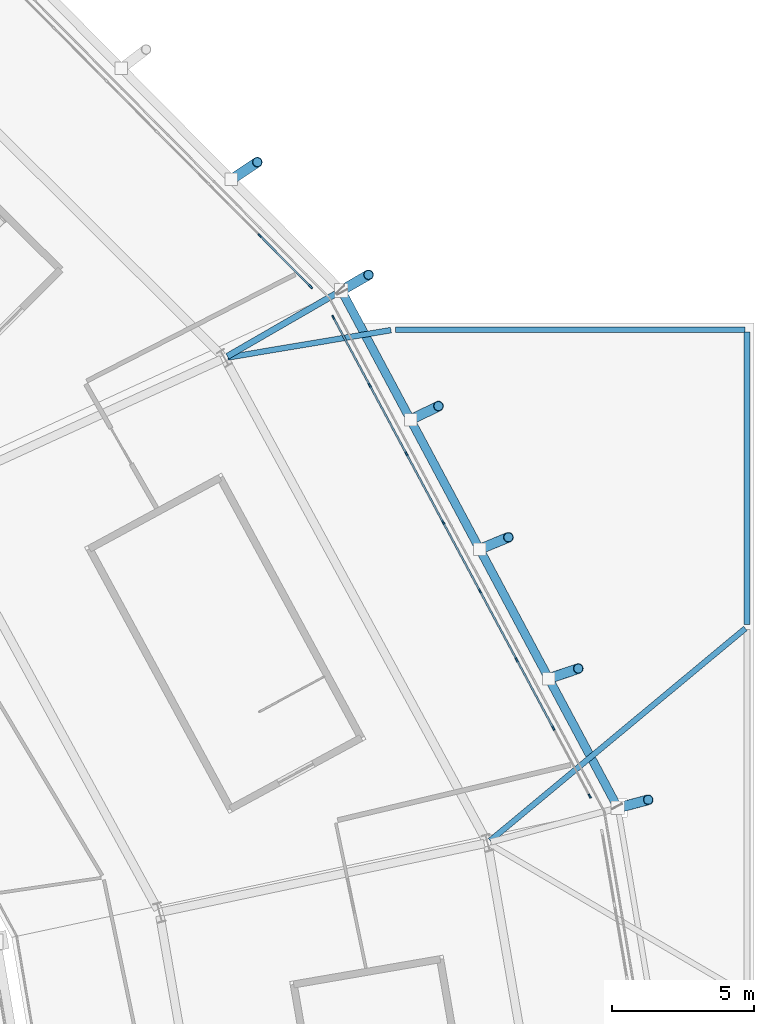
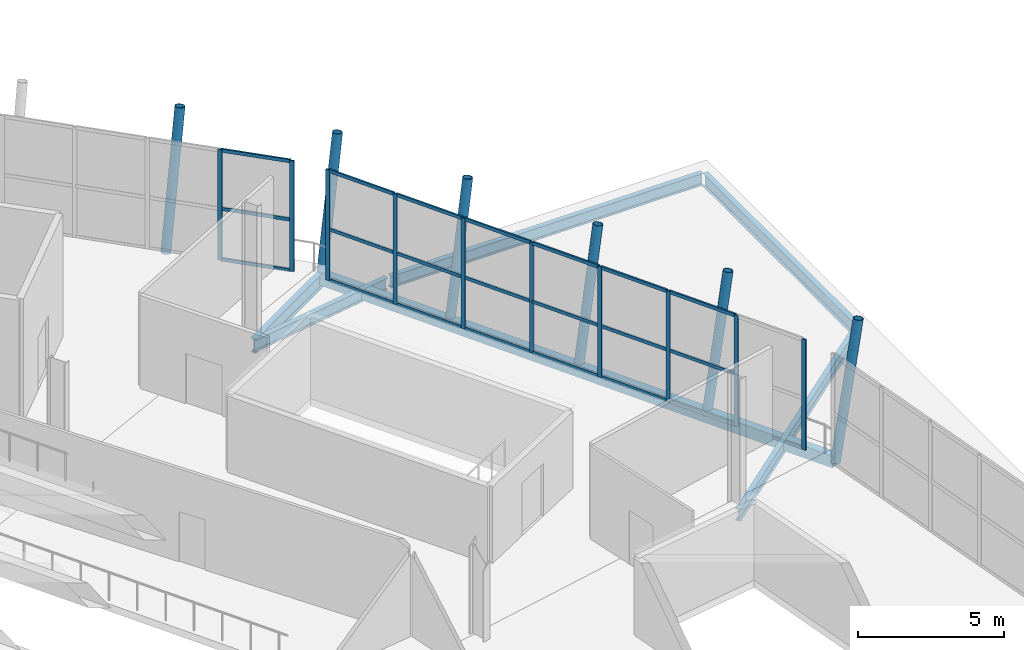
# One storey, part 48 of 126: 37 members, 6 beams, 2 elements without a shape of their own.
"""IFC4 building model written with IfcOpenShell, lengths in metres."""

from ifc_helpers import new_model, si_unit, direction, frame, origin, origin_2d, place, context, subcontext, project, spatial, rectangle, hollow_rectangle, hollow_circle, i_section, extrude, material, material_profile, profile_set, type_object, element, aggregate, save


model = new_model("IFC4")

# Units and contexts
model_context = context("Model", 3, precision=1e-05, world=origin(), true_north=direction((0.0, 1.0)))
body_context = subcontext(model_context, "Body", "Model", "MODEL_VIEW")
ifc_project = project(units=[si_unit("LENGTHUNIT", "METRE"), si_unit("AREAUNIT", "SQUARE_METRE"), si_unit("VOLUMEUNIT", "CUBIC_METRE"), si_unit("PLANEANGLEUNIT", "RADIAN"), si_unit("MASSUNIT", "GRAM", prefix="KILO")], contexts=[model_context])

# Site, building, storey
site_placement = place(None, origin())
site = spatial("IfcSite", under=ifc_project, at=site_placement, CompositionType="ELEMENT")
building_placement = place(site_placement, origin())
building = spatial("IfcBuilding", under=site, at=building_placement, Name="Zlatoyarsky Gate Stadium", CompositionType="ELEMENT")
storey_placement = place(building_placement, frame((0.0, 0.0, 20.800048828125)))
storey = spatial("IfcBuildingStorey", under=building, at=storey_placement, Name="L04", CompositionType="ELEMENT", Elevation=20.800048828125)

# Curtain wall, members
ifc_material_1 = material(Name="Thermally broken anodised aluminium curtain wall", Category="aluminium")
curtain_wall_type = type_object("IfcCurtainWallType", Name="UNITISED MEDIA RING GLAZING L04", PredefinedType="USERDEFINED", material=ifc_material_1)
curtain_wall_1_placement = place(storey_placement, origin())
curtain_wall_1 = element("IfcCurtainWall", 1, at=curtain_wall_1_placement, inside=storey, type_object=curtain_wall_type, Name="Curtain wall CW-L04-01", ObjectType="UNITISED GLAZING", PredefinedType="USERDEFINED")
ifc_material_2 = material(Name="Anodised aluminium 6063-T6", Category="aluminium")
ifc_material_profile_1 = material_profile(ifc_material_2, rectangle(XDim=0.06494140625, YDim=0.159912109375, at=origin_2d()), Name="ALU 65X160")
ifc_profile_set_1 = profile_set([ifc_material_profile_1], Name="Anodised aluminium 6063-T6")
member_type_1 = type_object("IfcMemberType", Name="ALUMINIUM MULLION 65X160", PredefinedType="MULLION", material=ifc_profile_set_1)
member_1_placement = place(storey_placement, frame((204.439697265625, 100.031005859375, 0.0), z_axis=(0.0, 0.0, 1.0), x_axis=(-0.881520920878, -0.472144962966, 0.0)))
member_1 = element("IfcMember", 2, at=member_1_placement, type_object=member_type_1, Name="CW-UG4 mullion 1", PredefinedType="MULLION", context=body_context, shape_type="SweptSolid", body=[
    extrude(rectangle(XDim=0.06494140625, YDim=0.159912109375, at=origin_2d()), origin(), (0.0, 0.0, 1.0), 4.619873046875),
])
member_2_placement = place(storey_placement, frame((203.157470703125, 102.42529296875, 0.0), z_axis=(0.0, 0.0, 1.0), x_axis=(-0.881520920878, -0.472144962966, 0.0)))
member_2 = element("IfcMember", 3, at=member_2_placement, type_object=member_type_1, Name="CW-UG4 mullion 2", PredefinedType="MULLION", context=body_context, shape_type="SweptSolid", body=[
    extrude(rectangle(XDim=0.06494140625, YDim=0.159912109375, at=origin_2d()), origin(), (0.0, 0.0, 1.0), 4.619873046875),
])
member_3_placement = place(storey_placement, frame((201.85986328125, 104.847900390625, 0.0), z_axis=(0.0, 0.0, 1.0), x_axis=(-0.881520920878, -0.472144962966, 0.0)))
member_3 = element("IfcMember", 4, at=member_3_placement, type_object=member_type_1, Name="CW-UG4 mullion 3", PredefinedType="MULLION", context=body_context, shape_type="SweptSolid", body=[
    extrude(rectangle(XDim=0.06494140625, YDim=0.159912109375, at=origin_2d()), origin(), (0.0, 0.0, 1.0), 4.619873046875),
])
member_4_placement = place(storey_placement, frame((200.562255859375, 107.270751953125, 0.0), z_axis=(0.0, 0.0, 1.0), x_axis=(-0.881520920878, -0.472144962966, 0.0)))
member_4 = element("IfcMember", 5, at=member_4_placement, type_object=member_type_1, Name="CW-UG4 mullion 4", PredefinedType="MULLION", context=body_context, shape_type="SweptSolid", body=[
    extrude(rectangle(XDim=0.06494140625, YDim=0.159912109375, at=origin_2d()), origin(), (0.0, 0.0, 1.0), 4.619873046875),
])
member_5_placement = place(storey_placement, frame((199.2646484375, 109.693603515625, 0.0), z_axis=(0.0, 0.0, 1.0), x_axis=(-0.881520920878, -0.472144962966, 0.0)))
member_5 = element("IfcMember", 6, at=member_5_placement, type_object=member_type_1, Name="CW-UG4 mullion 5", PredefinedType="MULLION", context=body_context, shape_type="SweptSolid", body=[
    extrude(rectangle(XDim=0.06494140625, YDim=0.159912109375, at=origin_2d()), origin(), (0.0, 0.0, 1.0), 4.619873046875),
])
member_6_placement = place(storey_placement, frame((197.966796875, 112.1162109375, 0.0), z_axis=(0.0, 0.0, 1.0), x_axis=(-0.881520920878, -0.472144962966, 0.0)))
member_6 = element("IfcMember", 7, at=member_6_placement, type_object=member_type_1, Name="CW-UG4 mullion 6", PredefinedType="MULLION", context=body_context, shape_type="SweptSolid", body=[
    extrude(rectangle(XDim=0.06494140625, YDim=0.159912109375, at=origin_2d()), origin(), (0.0, 0.0, 1.0), 4.619873046875),
])
member_7_placement = place(storey_placement, frame((196.669189453125, 114.5390625, 0.0), z_axis=(0.0, 0.0, 1.0), x_axis=(-0.881520920878, -0.472144962966, 0.0)))
member_7 = element("IfcMember", 8, at=member_7_placement, type_object=member_type_1, Name="CW-UG4 mullion 7", PredefinedType="MULLION", context=body_context, shape_type="SweptSolid", body=[
    extrude(rectangle(XDim=0.06494140625, YDim=0.159912109375, at=origin_2d()), origin(), (0.0, 0.0, 1.0), 4.619873046875),
])
member_8_placement = place(storey_placement, frame((195.386962890625, 116.93310546875, 0.0), z_axis=(0.0, 0.0, 1.0), x_axis=(-0.881520920878, -0.472144962966, 0.0)))
member_8 = element("IfcMember", 9, at=member_8_placement, type_object=member_type_1, Name="CW-UG4 mullion 8", PredefinedType="MULLION", context=body_context, shape_type="SweptSolid", body=[
    extrude(rectangle(XDim=0.06494140625, YDim=0.159912109375, at=origin_2d()), origin(), (0.0, 0.0, 1.0), 4.619873046875),
])

curtain_wall_2_placement = place(storey_placement, origin())
curtain_wall_2 = element("IfcCurtainWall", 10, at=curtain_wall_2_placement, inside=storey, type_object=curtain_wall_type, Name="Curtain wall CW-L04-02", ObjectType="UNITISED GLAZING", PredefinedType="USERDEFINED")
member_9_placement = place(storey_placement, frame((194.583984375, 118.019287109375, 0.0), z_axis=(0.0, 0.0, 1.0), x_axis=(-0.709870536386, -0.704332181269, 0.0)))
member_9 = element("IfcMember", 11, at=member_9_placement, type_object=member_type_1, Name="CW-UG4 mullion 1", PredefinedType="MULLION", context=body_context, shape_type="SweptSolid", body=[
    extrude(rectangle(XDim=0.06494140625, YDim=0.159912109375, at=origin_2d()), origin(), (0.0, 0.0, 1.0), 4.619873046875),
])
member_10_placement = place(storey_placement, frame((192.79296875, 119.82421875, 0.0), z_axis=(0.0, 0.0, 1.0), x_axis=(-0.709870536386, -0.704332181269, 0.0)))
member_10 = element("IfcMember", 12, at=member_10_placement, type_object=member_type_1, Name="CW-UG4 mullion 2", PredefinedType="MULLION", context=body_context, shape_type="SweptSolid", body=[
    extrude(rectangle(XDim=0.06494140625, YDim=0.159912109375, at=origin_2d()), origin(), (0.0, 0.0, 1.0), 4.619873046875),
])

# Member
ifc_material_profile_2 = material_profile(ifc_material_2, rectangle(XDim=0.06494140625, YDim=0.139892578125, at=origin_2d()), Name="ALU 65X140")
ifc_profile_set_2 = profile_set([ifc_material_profile_2], Name="Anodised aluminium 6063-T6")
member_type_2 = type_object("IfcMemberType", Name="ALUMINIUM TRANSOM 65X140", PredefinedType="USERDEFINED", material=ifc_profile_set_2)
member_11_placement = place(storey_placement, frame((203.14208984375, 102.453857421875, 0.032470703125), z_axis=(-0.472112842027, 0.881538124186, 0.0), x_axis=(-0.881538124186, -0.472112842027, 0.0)))
member_11 = element("IfcMember", 13, at=member_11_placement, type_object=member_type_2, Name="CW-UG4 transom 2.1", ObjectType="TRANSOM", PredefinedType="USERDEFINED", context=body_context, shape_type="SweptSolid", body=[
    extrude(rectangle(XDim=0.06494140625, YDim=0.139892578125, at=origin_2d()), origin(), (0.0, 0.0, 1.0), 2.683349609375),
])

member_12_placement = place(storey_placement, frame((203.14208984375, 102.453857421875, 2.14990234375), z_axis=(-0.472112842027, 0.881538124186, 0.0), x_axis=(-0.881538124186, -0.472112842027, 0.0)))
member_12 = element("IfcMember", 14, at=member_12_placement, type_object=member_type_2, Name="CW-UG4 transom 2.2", ObjectType="TRANSOM", PredefinedType="USERDEFINED", context=body_context, shape_type="SweptSolid", body=[
    extrude(rectangle(XDim=0.06494140625, YDim=0.139892578125, at=origin_2d()), origin(), (0.0, 0.0, 1.0), 2.683349609375),
])

member_13_placement = place(storey_placement, frame((203.14208984375, 102.453857421875, 4.58740234375), z_axis=(-0.472112842027, 0.881538124186, 0.0), x_axis=(-0.881538124186, -0.472112842027, 0.0)))
member_13 = element("IfcMember", 15, at=member_13_placement, type_object=member_type_2, Name="CW-UG4 transom 2.3", ObjectType="TRANSOM", PredefinedType="USERDEFINED", context=body_context, shape_type="SweptSolid", body=[
    extrude(rectangle(XDim=0.06494140625, YDim=0.139892578125, at=origin_2d()), origin(), (0.0, 0.0, 1.0), 2.683349609375),
])

member_14_placement = place(storey_placement, frame((201.844482421875, 104.876708984375, 0.032470703125), z_axis=(-0.472150710596, 0.881517842408, 0.0), x_axis=(-0.881517842408, -0.472150710596, 0.0)))
member_14 = element("IfcMember", 16, at=member_14_placement, type_object=member_type_2, Name="CW-UG4 transom 3.1", ObjectType="TRANSOM", PredefinedType="USERDEFINED", context=body_context, shape_type="SweptSolid", body=[
    extrude(rectangle(XDim=0.06494140625, YDim=0.139892578125, at=origin_2d()), origin(), (0.0, 0.0, 1.0), 2.68310546875),
])

member_15_placement = place(storey_placement, frame((201.844482421875, 104.876708984375, 2.14990234375), z_axis=(-0.472150710596, 0.881517842408, 0.0), x_axis=(-0.881517842408, -0.472150710596, 0.0)))
member_15 = element("IfcMember", 17, at=member_15_placement, type_object=member_type_2, Name="CW-UG4 transom 3.2", ObjectType="TRANSOM", PredefinedType="USERDEFINED", context=body_context, shape_type="SweptSolid", body=[
    extrude(rectangle(XDim=0.06494140625, YDim=0.139892578125, at=origin_2d()), origin(), (0.0, 0.0, 1.0), 2.68310546875),
])

member_16_placement = place(storey_placement, frame((201.844482421875, 104.876708984375, 4.58740234375), z_axis=(-0.472150710596, 0.881517842408, 0.0), x_axis=(-0.881517842408, -0.472150710596, 0.0)))
member_16 = element("IfcMember", 18, at=member_16_placement, type_object=member_type_2, Name="CW-UG4 transom 3.3", ObjectType="TRANSOM", PredefinedType="USERDEFINED", context=body_context, shape_type="SweptSolid", body=[
    extrude(rectangle(XDim=0.06494140625, YDim=0.139892578125, at=origin_2d()), origin(), (0.0, 0.0, 1.0), 2.68310546875),
])

member_17_placement = place(storey_placement, frame((200.546875, 107.29931640625, 0.032470703125), z_axis=(-0.47218354153, 0.88150025701, 0.0), x_axis=(-0.88150025701, -0.47218354153, 0.0)))
member_17 = element("IfcMember", 19, at=member_17_placement, type_object=member_type_2, Name="CW-UG4 transom 4.1", ObjectType="TRANSOM", PredefinedType="USERDEFINED", context=body_context, shape_type="SweptSolid", body=[
    extrude(rectangle(XDim=0.06494140625, YDim=0.139892578125, at=origin_2d()), origin(), (0.0, 0.0, 1.0), 2.683349609375),
])

member_18_placement = place(storey_placement, frame((200.546875, 107.29931640625, 2.14990234375), z_axis=(-0.47218354153, 0.88150025701, 0.0), x_axis=(-0.88150025701, -0.47218354153, 0.0)))
member_18 = element("IfcMember", 20, at=member_18_placement, type_object=member_type_2, Name="CW-UG4 transom 4.2", ObjectType="TRANSOM", PredefinedType="USERDEFINED", context=body_context, shape_type="SweptSolid", body=[
    extrude(rectangle(XDim=0.06494140625, YDim=0.139892578125, at=origin_2d()), origin(), (0.0, 0.0, 1.0), 2.683349609375),
])

member_19_placement = place(storey_placement, frame((200.546875, 107.29931640625, 4.58740234375), z_axis=(-0.47218354153, 0.88150025701, 0.0), x_axis=(-0.88150025701, -0.47218354153, 0.0)))
member_19 = element("IfcMember", 21, at=member_19_placement, type_object=member_type_2, Name="CW-UG4 transom 4.3", ObjectType="TRANSOM", PredefinedType="USERDEFINED", context=body_context, shape_type="SweptSolid", body=[
    extrude(rectangle(XDim=0.06494140625, YDim=0.139892578125, at=origin_2d()), origin(), (0.0, 0.0, 1.0), 2.683349609375),
])

member_20_placement = place(storey_placement, frame((199.249267578125, 109.72216796875, 0.032470703125), z_axis=(-0.47218354153, 0.88150025701, 0.0), x_axis=(-0.88150025701, -0.47218354153, 0.0)))
member_20 = element("IfcMember", 22, at=member_20_placement, type_object=member_type_2, Name="CW-UG4 transom 5.1", ObjectType="TRANSOM", PredefinedType="USERDEFINED", context=body_context, shape_type="SweptSolid", body=[
    extrude(rectangle(XDim=0.06494140625, YDim=0.139892578125, at=origin_2d()), origin(), (0.0, 0.0, 1.0), 2.683349609375),
])

member_21_placement = place(storey_placement, frame((199.249267578125, 109.72216796875, 2.14990234375), z_axis=(-0.47218354153, 0.88150025701, 0.0), x_axis=(-0.88150025701, -0.47218354153, 0.0)))
member_21 = element("IfcMember", 23, at=member_21_placement, type_object=member_type_2, Name="CW-UG4 transom 5.2", ObjectType="TRANSOM", PredefinedType="USERDEFINED", context=body_context, shape_type="SweptSolid", body=[
    extrude(rectangle(XDim=0.06494140625, YDim=0.139892578125, at=origin_2d()), origin(), (0.0, 0.0, 1.0), 2.683349609375),
])

member_22_placement = place(storey_placement, frame((199.249267578125, 109.72216796875, 4.58740234375), z_axis=(-0.47218354153, 0.88150025701, 0.0), x_axis=(-0.88150025701, -0.47218354153, 0.0)))
member_22 = element("IfcMember", 24, at=member_22_placement, type_object=member_type_2, Name="CW-UG4 transom 5.3", ObjectType="TRANSOM", PredefinedType="USERDEFINED", context=body_context, shape_type="SweptSolid", body=[
    extrude(rectangle(XDim=0.06494140625, YDim=0.139892578125, at=origin_2d()), origin(), (0.0, 0.0, 1.0), 2.683349609375),
])

member_23_placement = place(storey_placement, frame((197.95166015625, 112.14501953125, 0.032470703125), z_axis=(-0.47218354153, 0.88150025701, 0.0), x_axis=(-0.88150025701, -0.47218354153, 0.0)))
member_23 = element("IfcMember", 25, at=member_23_placement, type_object=member_type_2, Name="CW-UG4 transom 6.1", ObjectType="TRANSOM", PredefinedType="USERDEFINED", context=body_context, shape_type="SweptSolid", body=[
    extrude(rectangle(XDim=0.06494140625, YDim=0.139892578125, at=origin_2d()), origin(), (0.0, 0.0, 1.0), 2.683349609375),
])

member_24_placement = place(storey_placement, frame((197.95166015625, 112.14501953125, 2.14990234375), z_axis=(-0.47218354153, 0.88150025701, 0.0), x_axis=(-0.88150025701, -0.47218354153, 0.0)))
member_24 = element("IfcMember", 26, at=member_24_placement, type_object=member_type_2, Name="CW-UG4 transom 6.2", ObjectType="TRANSOM", PredefinedType="USERDEFINED", context=body_context, shape_type="SweptSolid", body=[
    extrude(rectangle(XDim=0.06494140625, YDim=0.139892578125, at=origin_2d()), origin(), (0.0, 0.0, 1.0), 2.683349609375),
])

member_25_placement = place(storey_placement, frame((197.95166015625, 112.14501953125, 4.58740234375), z_axis=(-0.47218354153, 0.88150025701, 0.0), x_axis=(-0.88150025701, -0.47218354153, 0.0)))
member_25 = element("IfcMember", 27, at=member_25_placement, type_object=member_type_2, Name="CW-UG4 transom 6.3", ObjectType="TRANSOM", PredefinedType="USERDEFINED", context=body_context, shape_type="SweptSolid", body=[
    extrude(rectangle(XDim=0.06494140625, YDim=0.139892578125, at=origin_2d()), origin(), (0.0, 0.0, 1.0), 2.683349609375),
])

member_26_placement = place(storey_placement, frame((196.65380859375, 114.567626953125, 0.032470703125), z_axis=(-0.472088510191, 0.881551154809, 0.0), x_axis=(-0.881551154809, -0.472088510191, 0.0)))
member_26 = element("IfcMember", 28, at=member_26_placement, type_object=member_type_2, Name="CW-UG4 transom 7.1", ObjectType="TRANSOM", PredefinedType="USERDEFINED", context=body_context, shape_type="SweptSolid", body=[
    extrude(rectangle(XDim=0.06494140625, YDim=0.139892578125, at=origin_2d()), origin(), (0.0, 0.0, 1.0), 2.65087890625),
])

member_27_placement = place(storey_placement, frame((196.65380859375, 114.567626953125, 2.14990234375), z_axis=(-0.472088510191, 0.881551154809, 0.0), x_axis=(-0.881551154809, -0.472088510191, 0.0)))
member_27 = element("IfcMember", 29, at=member_27_placement, type_object=member_type_2, Name="CW-UG4 transom 7.2", ObjectType="TRANSOM", PredefinedType="USERDEFINED", context=body_context, shape_type="SweptSolid", body=[
    extrude(rectangle(XDim=0.06494140625, YDim=0.139892578125, at=origin_2d()), origin(), (0.0, 0.0, 1.0), 2.65087890625),
])

member_28_placement = place(storey_placement, frame((196.65380859375, 114.567626953125, 4.58740234375), z_axis=(-0.472088510191, 0.881551154809, 0.0), x_axis=(-0.881551154809, -0.472088510191, 0.0)))
member_28 = element("IfcMember", 30, at=member_28_placement, type_object=member_type_2, Name="CW-UG4 transom 7.3", ObjectType="TRANSOM", PredefinedType="USERDEFINED", context=body_context, shape_type="SweptSolid", body=[
    extrude(rectangle(XDim=0.06494140625, YDim=0.139892578125, at=origin_2d()), origin(), (0.0, 0.0, 1.0), 2.65087890625),
])

aggregate(curtain_wall_1, [member_1, member_2, member_3, member_4, member_5, member_6, member_7, member_8, member_11, member_12, member_13, member_14, member_15, member_16, member_17, member_18, member_19, member_20, member_21, member_22, member_23, member_24, member_25, member_26, member_27, member_28])

member_29_placement = place(storey_placement, frame((194.56103515625, 118.042236328125, 0.032470703125), z_axis=(-0.704293097674, 0.709909312919, 0.0), x_axis=(-0.709909312919, -0.704293097674, 0.0)))
member_29 = element("IfcMember", 31, at=member_29_placement, type_object=member_type_2, Name="CW-UG4 transom 1.1", ObjectType="TRANSOM", PredefinedType="USERDEFINED", context=body_context, shape_type="SweptSolid", body=[
    extrude(rectangle(XDim=0.06494140625, YDim=0.139892578125, at=origin_2d()), origin(), (0.0, 0.0, 1.0), 2.477783203125),
])

member_30_placement = place(storey_placement, frame((194.56103515625, 118.042236328125, 2.14990234375), z_axis=(-0.704293097674, 0.709909312919, 0.0), x_axis=(-0.709909312919, -0.704293097674, 0.0)))
member_30 = element("IfcMember", 32, at=member_30_placement, type_object=member_type_2, Name="CW-UG4 transom 1.2", ObjectType="TRANSOM", PredefinedType="USERDEFINED", context=body_context, shape_type="SweptSolid", body=[
    extrude(rectangle(XDim=0.06494140625, YDim=0.139892578125, at=origin_2d()), origin(), (0.0, 0.0, 1.0), 2.477783203125),
])

member_31_placement = place(storey_placement, frame((194.56103515625, 118.042236328125, 4.58740234375), z_axis=(-0.704293097674, 0.709909312919, 0.0), x_axis=(-0.709909312919, -0.704293097674, 0.0)))
member_31 = element("IfcMember", 33, at=member_31_placement, type_object=member_type_2, Name="CW-UG4 transom 1.3", ObjectType="TRANSOM", PredefinedType="USERDEFINED", context=body_context, shape_type="SweptSolid", body=[
    extrude(rectangle(XDim=0.06494140625, YDim=0.139892578125, at=origin_2d()), origin(), (0.0, 0.0, 1.0), 2.477783203125),
])

aggregate(curtain_wall_2, [member_9, member_10, member_29, member_30, member_31])

# Beams
ifc_material_3 = material(Name="Steel S355", Category="steel")
ifc_material_profile_3 = material_profile(ifc_material_3, i_section(OverallWidth=0.219970703125, OverallDepth=0.60009765625, WebThickness=0.011962890625, FlangeThickness=0.01904296875, FilletRadius=0.02392578125, at=origin_2d()), Name="IPE 600")
ifc_profile_set_3 = profile_set([ifc_material_profile_3], Name="Steel S355")
beam_type_1 = type_object("IfcBeamType", Name="STEEL CANTILEVER FLOOR BEAM IPE 600", PredefinedType="BEAM", material=ifc_profile_set_3)
beam_1_placement = place(storey_placement, frame((191.644287109375, 115.56005859375, -0.60009765625), z_axis=(0.866030814921, 0.499990627519, 0.0), x_axis=(-0.499990627519, 0.866030814921, 0.0)))
element("IfcBeam", 34, at=beam_1_placement, inside=storey, type_object=beam_type_1, Name="Beam B-IPE600 BM-L04-OUT-02", PredefinedType="BEAM", context=body_context, shape_type="SweptSolid", body=[
    extrude(i_section(OverallWidth=0.219970703125, OverallDepth=0.60009765625, WebThickness=0.011962890625, FlangeThickness=0.01904296875, FilletRadius=0.02392578125, at=origin_2d()), origin(), (0.0, 0.0, 1.0), 4.6494140625),
])
ifc_material_profile_4 = material_profile(ifc_material_3, i_section(OverallWidth=0.199951171875, OverallDepth=0.5, WebThickness=0.01025390625, FlangeThickness=0.01611328125, FilletRadius=0.02099609375, at=origin_2d()), Name="IPE 500")
ifc_profile_set_4 = profile_set([ifc_material_profile_4], Name="Steel S355")
beam_type_2 = type_object("IfcBeamType", Name="STEEL FLOOR BEAM IPE 500", PredefinedType="BEAM", material=ifc_profile_set_4)
beam_2_placement = place(storey_placement, frame((197.580078125, 116.5, -0.550048828125), z_axis=(1.0, 0.0, 0.0), x_axis=(0.0, 1.0, 0.0)))
element("IfcBeam", 35, at=beam_2_placement, inside=storey, type_object=beam_type_2, Name="Beam B-IPE500 BM-L04-WGX-17-L", PredefinedType="BEAM", context=body_context, shape_type="SweptSolid", body=[
    extrude(i_section(OverallWidth=0.199951171875, OverallDepth=0.5, WebThickness=0.01025390625, FlangeThickness=0.01611328125, FilletRadius=0.02099609375, at=origin_2d()), origin(), (0.0, 0.0, 1.0), 12.33984375),
])
beam_3_placement = place(storey_placement, frame((209.9384765625, 105.948974609375, -0.550048828125), z_axis=(-0.768913795001, -0.63935246606, 0.0), x_axis=(0.63935246606, -0.768913795001, 0.0)))
element("IfcBeam", 36, at=beam_3_placement, inside=storey, type_object=beam_type_2, Name="Beam B-IPE500 BM-L04-WRF-E6", PredefinedType="BEAM", context=body_context, shape_type="SweptSolid", body=[
    extrude(i_section(OverallWidth=0.199951171875, OverallDepth=0.5, WebThickness=0.01025390625, FlangeThickness=0.01611328125, FilletRadius=0.02099609375, at=origin_2d()), origin(), (0.0, 0.0, 1.0), 11.724609375),
])
beam_4_placement = place(storey_placement, frame((197.421142578125, 116.48681640625, -0.550048828125), z_axis=(-0.986216052635, -0.165462677136, 0.0), x_axis=(0.165462677136, -0.986216052635, 0.0)))
element("IfcBeam", 37, at=beam_4_placement, inside=storey, type_object=beam_type_2, Name="Beam B-IPE500 BM-L04-WRF-E7", PredefinedType="BEAM", context=body_context, shape_type="SweptSolid", body=[
    extrude(i_section(OverallWidth=0.199951171875, OverallDepth=0.5, WebThickness=0.01025390625, FlangeThickness=0.01611328125, FilletRadius=0.02099609375, at=origin_2d()), origin(), (0.0, 0.0, 1.0), 5.843017578125),
])
ifc_material_profile_5 = material_profile(ifc_material_3, i_section(OverallWidth=0.2099609375, OverallDepth=0.550048828125, WebThickness=0.010986328125, FlangeThickness=0.01708984375, FilletRadius=0.02392578125, at=origin_2d()), Name="IPE 550")
ifc_profile_set_5 = profile_set([ifc_material_profile_5], Name="Steel S355")
beam_type_3 = type_object("IfcBeamType", Name="STEEL FLOOR BEAM IPE 550", PredefinedType="BEAM", material=ifc_profile_set_5)
beam_5_placement = place(storey_placement, frame((210.0, 106.080078125, -0.574951171875), z_axis=(0.0, 1.0, 0.0), x_axis=(-1.0, 0.0, 0.0)))
element("IfcBeam", 38, at=beam_5_placement, inside=storey, type_object=beam_type_3, Name="Beam B-IPE550 BM-L04-WGY-18-K", PredefinedType="BEAM", context=body_context, shape_type="SweptSolid", body=[
    extrude(i_section(OverallWidth=0.2099609375, OverallDepth=0.550048828125, WebThickness=0.010986328125, FlangeThickness=0.01708984375, FilletRadius=0.02392578125, at=origin_2d()), origin(), (0.0, 0.0, 1.0), 10.33984375),
])

# Members
ifc_material_profile_6 = material_profile(ifc_material_3, hollow_circle(Radius=0.177734375, WallThickness=0.02001953125, at=origin_2d()), Name="CHS 355.6X20")
ifc_profile_set_6 = profile_set([ifc_material_profile_6], Name="Steel S355")
member_type_3 = type_object("IfcMemberType", Name="STEEL LEANING RIB RING STRUT CHS 355.6X20", PredefinedType="STRUT", material=ifc_profile_set_6)
for number, where, z_axis, x_axis, name in (
    (39, (205.438232421875, 99.610595703125, -0.60009765625), (0.192834107222, 0.051671625082, 0.979869914965), (-0.25882783967, 0.965923469749, 0.0), "Leaning ring strut 01 L04 to L05"),
    (40, (195.6708984375, 117.884765625, -0.60009765625), (0.172912265189, 0.09982473092, 0.979865486505), (-0.49997666526, 0.866038875684, 0.0), "Leaning ring strut 02 L04 to L05"),
):
    element("IfcMember", number, at=place(storey_placement, frame(where, z_axis=z_axis, x_axis=x_axis)), inside=storey, type_object=member_type_3, Name=name, PredefinedType="STRUT", context=body_context, shape_type="SweptSolid", body=[
        extrude(hollow_circle(Radius=0.177734375, WallThickness=0.02001953125, at=origin_2d()), origin(), (0.0, 0.0, 1.0), 5.5517578125),
    ])
member_32_placement = place(storey_placement, frame((202.996337890625, 104.17919921875, -0.550048828125), z_axis=(0.187911950182, 0.06373698872, 0.980115654016), x_axis=(-0.321211146144, 0.947007602711, 0.0)))
element("IfcMember", 41, at=member_32_placement, inside=storey, type_object=member_type_3, Name="Outward-leaning bowl louvre fin rib L04 01-1", PredefinedType="STRUT", context=body_context, shape_type="SweptSolid", body=[
    extrude(hollow_circle(Radius=0.177734375, WallThickness=0.02001953125, at=origin_2d()), origin(), (0.0, 0.0, 1.0), 5.55029296875),
])
member_33_placement = place(storey_placement, frame((200.5546875, 108.747802734375, -0.550048828125), z_axis=(0.182914317076, 0.075752393941, 0.980206063754), x_axis=(-0.382626535499, 0.923903097912, 0.0)))
element("IfcMember", 42, at=member_33_placement, inside=storey, type_object=member_type_3, Name="Outward-leaning bowl louvre fin rib L04 01-2", PredefinedType="STRUT", context=body_context, shape_type="SweptSolid", body=[
    extrude(hollow_circle(Radius=0.177734375, WallThickness=0.02001953125, at=origin_2d()), origin(), (0.0, 0.0, 1.0), 5.5498046875),
])
for number, where, z_axis, x_axis, name in (
    (43, (198.11279296875, 113.316162109375, -0.550048828125), (0.177926851198, 0.087841760653, 0.980115228281), (-0.442685702063, 0.896676847693, 0.0), "Outward-leaning bowl louvre fin rib L04 01-3"),
    (44, (191.78662109375, 121.807861328125, -0.550048828125), (0.164995513557, 0.110187619691, 0.980119976826), (-0.555365126941, 0.831606623216, 0.0), "Outward-leaning bowl louvre fin rib L04 02-1"),
):
    element("IfcMember", number, at=place(storey_placement, frame(where, z_axis=z_axis, x_axis=x_axis)), inside=storey, type_object=member_type_3, Name=name, PredefinedType="STRUT", context=body_context, shape_type="SweptSolid", body=[
        extrude(hollow_circle(Radius=0.177734375, WallThickness=0.02001953125, at=origin_2d()), origin(), (0.0, 0.0, 1.0), 5.55029296875),
    ])

# Beam
ifc_material_profile_7 = material_profile(ifc_material_3, hollow_rectangle(XDim=0.300048828125, YDim=0.5, WallThickness=0.02001953125, at=origin_2d()), Name="RHS 500X300X20")
ifc_profile_set_7 = profile_set([ifc_material_profile_7], Name="Steel S355")
beam_type_4 = type_object("IfcBeamType", Name="STEEL LOUVRE CARRIER SPANDREL RHS 500X300X20", PredefinedType="SPANDREL", material=ifc_profile_set_7)
beam_6_placement = place(storey_placement, frame((205.4287109375, 99.628173828125, -0.550048828125), z_axis=(-0.471371730218, 0.881934630203, 0.0), x_axis=(-0.881934630203, -0.471371730218, 0.0)))
element("IfcBeam", 45, at=beam_6_placement, inside=storey, type_object=beam_type_4, Name="Beam SP-RHS500 BM-L04-SPD-01", PredefinedType="SPANDREL", context=body_context, shape_type="SweptSolid", body=[
    extrude(hollow_rectangle(XDim=0.300048828125, YDim=0.5, WallThickness=0.02001953125, at=origin_2d()), origin(), (0.0, 0.0, 1.0), 20.6806640625),
])

save(model, "model.ifc")
